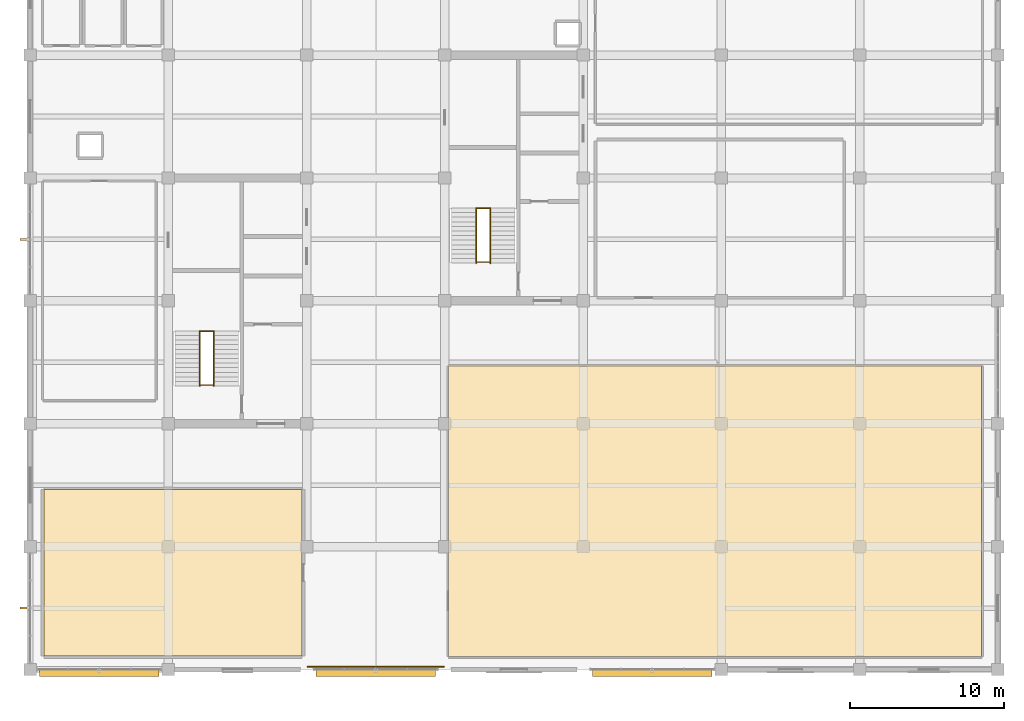
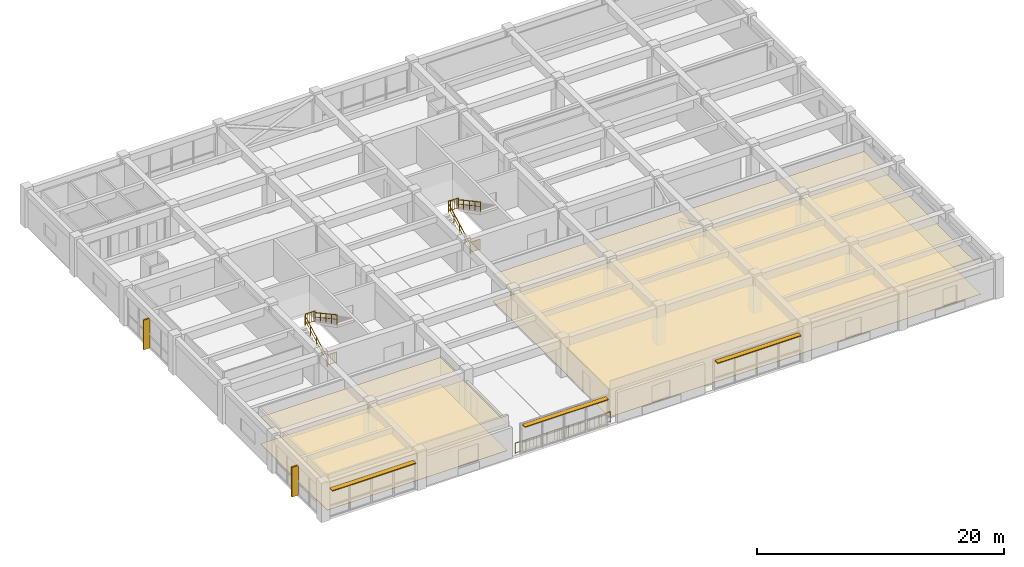
# One storey, part 16 of 16: 9 railings, 5 shading devices, 4 coverings.
"""IFC4 building model written with IfcOpenShell, lengths in metres."""

from ifc_helpers import new_model, si_unit, direction, frame, frame_2d, origin, origin_2d, place, context, subcontext, project, spatial, polyline, rectangle, circle, outline, extrude, material, layer, layer_set, type_object, element, save


model = new_model("IFC4")

# Units and contexts
model_context = context("Model", 3, precision=1e-05, world=origin(), true_north=direction((0.0, 1.0)))
body_context = subcontext(model_context, "Body", "Model", "MODEL_VIEW")
ifc_project = project(units=[si_unit("LENGTHUNIT", "METRE"), si_unit("AREAUNIT", "SQUARE_METRE"), si_unit("VOLUMEUNIT", "CUBIC_METRE"), si_unit("PLANEANGLEUNIT", "RADIAN"), si_unit("MASSUNIT", "GRAM", prefix="KILO")], contexts=[model_context])

# Site, building, storey
site_placement = place(None, origin())
site = spatial("IfcSite", under=ifc_project, at=site_placement, CompositionType="ELEMENT")
building_placement = place(site_placement, origin())
building = spatial("IfcBuilding", under=site, at=building_placement, Name="Zaverband Oceanarium and Marine Research Institute", CompositionType="ELEMENT")
storey_placement = place(building_placement, frame((0.0, 0.0, 37.5)))
storey = spatial("IfcBuildingStorey", under=building, at=storey_placement, Name="L09", CompositionType="ELEMENT", Elevation=37.5)

# Coverings
ifc_material_1 = material(Name="Perforated mineral-fibre acoustic ceiling tile")
ifc_layer_1 = layer(ifc_material_1, 0.02490234375, Name="Perforated mineral-fibre acoustic ceiling tile")
ifc_layer_set_1 = layer_set([ifc_layer_1], Name="Perforated mineral-fibre acoustic ceiling tile")
covering_type_1 = type_object("IfcCoveringType", Name="CLG-AC-15", PredefinedType="CEILING", material=ifc_layer_set_1)
covering_1_placement = place(storey_placement, frame((0.0, 0.0, 2.659912109375)))
element("IfcCovering", 1, at=covering_1_placement, inside=storey, type_object=covering_type_1, Name="Suspended acoustic ceiling CLG-AC-15", PredefinedType="CEILING", context=body_context, shape_type="SweptSolid", body=[
    extrude(outline(polyline([(9.889892578125, 64.889892578125), (26.7099609375, 64.889892578125), (26.7099609375, 75.7099609375), (9.889892578125, 75.7099609375), (9.889892578125, 64.889892578125)])), origin(), (0.0, 0.0, 1.0), 0.025146484375),
])
covering_2_placement = place(storey_placement, frame((0.0, 0.0, 2.659912109375)))
element("IfcCovering", 2, at=covering_2_placement, inside=storey, type_object=covering_type_1, Name="Suspended acoustic ceiling CLG-AC-15", PredefinedType="CEILING", context=body_context, shape_type="SweptSolid", body=[
    extrude(outline(polyline([(36.25, 64.85009765625), (70.949951171875, 64.85009765625), (70.949951171875, 83.75), (36.25, 83.75), (36.25, 64.85009765625)])), origin(), (0.0, 0.0, 1.0), 0.025146484375),
])
ifc_material_2 = material(Name="Polished marine terrazzo and seamless laboratory epoxy flooring")
ifc_layer_2 = layer(ifc_material_2, 0.02490234375, Name="Polished marine terrazzo and seamless laboratory epoxy flooring")
ifc_layer_set_2 = layer_set([ifc_layer_2], Name="Polished marine terrazzo and seamless laboratory epoxy flooring")
covering_type_2 = type_object("IfcCoveringType", Name="FLR-TRZ-20", PredefinedType="FLOORING", material=ifc_layer_set_2)
covering_3_placement = place(storey_placement, origin())
element("IfcCovering", 3, at=covering_3_placement, inside=storey, type_object=covering_type_2, Name="Terrazzo and marine epoxy floor finish FLR-TRZ-20", PredefinedType="FLOORING", context=body_context, shape_type="SweptSolid", body=[
    extrude(outline(polyline([(9.889892578125, 64.889892578125), (26.7099609375, 64.889892578125), (26.7099609375, 75.7099609375), (9.889892578125, 75.7099609375), (9.889892578125, 64.889892578125)])), origin(), (0.0, 0.0, 1.0), 0.02490234375),
])
covering_4_placement = place(storey_placement, origin())
element("IfcCovering", 4, at=covering_4_placement, inside=storey, type_object=covering_type_2, Name="Terrazzo and marine epoxy floor finish FLR-TRZ-20", PredefinedType="FLOORING", context=body_context, shape_type="SweptSolid", body=[
    extrude(outline(polyline([(36.25, 64.85009765625), (70.949951171875, 64.85009765625), (70.949951171875, 83.75), (36.25, 83.75), (36.25, 64.85009765625)])), origin(), (0.0, 0.0, 1.0), 0.02490234375),
])

# Railings
ifc_material_3 = material(Name="Steel S355", Category="steel")
ifc_layer_3 = layer(ifc_material_3, 0.06005859375, Name="Steel S355")
ifc_layer_set_3 = layer_set([ifc_layer_3], Name="Steel S355")
railing_type_1 = type_object("IfcRailingType", Name="GRD-1100", PredefinedType="BALUSTRADE", material=ifc_layer_set_3)
for number, where, name in (
    (5, (20.0400390625, 86.030029296875, 1.949951171875), "1100 mm steel post-and-baluster safety guard GRD-1100"),
    (6, (20.0400390625, 82.530029296875, 0.0), "1100 mm steel post-and-baluster safety guard GRD-1100"),
    (7, (38.0400390625, 94.030029296875, 1.949951171875), "1100 mm steel post-and-baluster safety guard GRD-1100"),
    (8, (38.0400390625, 90.530029296875, 0.0), "1100 mm steel post-and-baluster safety guard GRD-1100"),
):
    element("IfcRailing", number, at=place(storey_placement, frame(where)), inside=storey, type_object=railing_type_1, Name=name, PredefinedType="BALUSTRADE", context=body_context, shape_type="SweptSolid", body=[
        extrude(circle(Radius=0.02392578125, at=origin_2d()), frame((0.0, 0.0, 1.076171875), z_axis=(1.0, 0.0, 0.0), x_axis=(0.0, 1.0, 0.0)), (0.0, 0.0, 1.0), 0.919921875),
        extrude(circle(Radius=0.009033203125, at=origin_2d()), frame((0.0, 0.0, 0.10009765625), z_axis=(1.0, 0.0, 0.0), x_axis=(0.0, 1.0, 0.0)), (0.0, 0.0, 1.0), 0.919921875),
        extrude(circle(Radius=0.009033203125, at=origin_2d()), frame((0.18408203125, 0.0, 0.10009765625)), (0.0, 0.0, 1.0), 0.951904296875),
        extrude(circle(Radius=0.009033203125, at=origin_2d()), frame((0.367919921875, 0.0, 0.10009765625)), (0.0, 0.0, 1.0), 0.951904296875),
        extrude(circle(Radius=0.009033203125, at=origin_2d()), frame((0.552001953125, 0.0, 0.10009765625)), (0.0, 0.0, 1.0), 0.951904296875),
        extrude(circle(Radius=0.009033203125, at=origin_2d()), frame((0.73583984375, 0.0, 0.10009765625)), (0.0, 0.0, 1.0), 0.951904296875),
        extrude(circle(Radius=0.02099609375, at=origin_2d()), origin(), (0.0, 0.0, 1.0), 1.052001953125),
        extrude(circle(Radius=0.02099609375, at=origin_2d()), frame((0.919921875, 0.0, 0.0)), (0.0, 0.0, 1.0), 1.052001953125),
    ])
railing_1_placement = place(storey_placement, frame((27.050048828125, 64.179931640625, 0.0)))
element("IfcRailing", 9, at=railing_1_placement, inside=storey, type_object=railing_type_1, Name="1100 mm steel post-and-baluster safety guard GRD-1100", PredefinedType="BALUSTRADE", context=body_context, shape_type="SweptSolid", body=[
    extrude(circle(Radius=0.02392578125, at=origin_2d()), frame((0.0, 0.0, 1.076171875), z_axis=(1.0, 0.0, 0.0), x_axis=(0.0, 1.0, 0.0)), (0.0, 0.0, 1.0), 8.89990234375),
    extrude(circle(Radius=0.009033203125, at=origin_2d()), frame((0.0, 0.0, 0.10009765625), z_axis=(1.0, 0.0, 0.0), x_axis=(0.0, 1.0, 0.0)), (0.0, 0.0, 1.0), 8.89990234375),
    extrude(circle(Radius=0.009033203125, at=origin_2d()), frame((0.217041015625, 0.0, 0.10009765625)), (0.0, 0.0, 1.0), 0.951904296875),
    extrude(circle(Radius=0.009033203125, at=origin_2d()), frame((0.43408203125, 0.0, 0.10009765625)), (0.0, 0.0, 1.0), 0.951904296875),
    extrude(circle(Radius=0.009033203125, at=origin_2d()), frame((0.651123046875, 0.0, 0.10009765625)), (0.0, 0.0, 1.0), 0.951904296875),
    extrude(circle(Radius=0.009033203125, at=origin_2d()), frame((0.8681640625, 0.0, 0.10009765625)), (0.0, 0.0, 1.0), 0.951904296875),
    extrude(circle(Radius=0.009033203125, at=origin_2d()), frame((1.08544921875, 0.0, 0.10009765625)), (0.0, 0.0, 1.0), 0.951904296875),
    extrude(circle(Radius=0.009033203125, at=origin_2d()), frame((1.302490234375, 0.0, 0.10009765625)), (0.0, 0.0, 1.0), 0.951904296875),
    extrude(circle(Radius=0.009033203125, at=origin_2d()), frame((1.51953125, 0.0, 0.10009765625)), (0.0, 0.0, 1.0), 0.951904296875),
    extrude(circle(Radius=0.009033203125, at=origin_2d()), frame((1.736572265625, 0.0, 0.10009765625)), (0.0, 0.0, 1.0), 0.951904296875),
    extrude(circle(Radius=0.009033203125, at=origin_2d()), frame((1.95361328125, 0.0, 0.10009765625)), (0.0, 0.0, 1.0), 0.951904296875),
    extrude(circle(Radius=0.009033203125, at=origin_2d()), frame((2.170654296875, 0.0, 0.10009765625)), (0.0, 0.0, 1.0), 0.951904296875),
    extrude(circle(Radius=0.009033203125, at=origin_2d()), frame((2.3876953125, 0.0, 0.10009765625)), (0.0, 0.0, 1.0), 0.951904296875),
    extrude(circle(Radius=0.009033203125, at=origin_2d()), frame((2.604736328125, 0.0, 0.10009765625)), (0.0, 0.0, 1.0), 0.951904296875),
    extrude(circle(Radius=0.009033203125, at=origin_2d()), frame((2.822021484375, 0.0, 0.10009765625)), (0.0, 0.0, 1.0), 0.951904296875),
    extrude(circle(Radius=0.009033203125, at=origin_2d()), frame((3.0390625, 0.0, 0.10009765625)), (0.0, 0.0, 1.0), 0.951904296875),
    extrude(circle(Radius=0.009033203125, at=origin_2d()), frame((3.256103515625, 0.0, 0.10009765625)), (0.0, 0.0, 1.0), 0.951904296875),
    extrude(circle(Radius=0.009033203125, at=origin_2d()), frame((3.47314453125, 0.0, 0.10009765625)), (0.0, 0.0, 1.0), 0.951904296875),
    extrude(circle(Radius=0.009033203125, at=origin_2d()), frame((3.690185546875, 0.0, 0.10009765625)), (0.0, 0.0, 1.0), 0.951904296875),
    extrude(circle(Radius=0.009033203125, at=origin_2d()), frame((3.9072265625, 0.0, 0.10009765625)), (0.0, 0.0, 1.0), 0.951904296875),
    extrude(circle(Radius=0.009033203125, at=origin_2d()), frame((4.124267578125, 0.0, 0.10009765625)), (0.0, 0.0, 1.0), 0.951904296875),
    extrude(circle(Radius=0.009033203125, at=origin_2d()), frame((4.34130859375, 0.0, 0.10009765625)), (0.0, 0.0, 1.0), 0.951904296875),
    extrude(circle(Radius=0.009033203125, at=origin_2d()), frame((4.55859375, 0.0, 0.10009765625)), (0.0, 0.0, 1.0), 0.951904296875),
    extrude(circle(Radius=0.009033203125, at=origin_2d()), frame((4.775634765625, 0.0, 0.10009765625)), (0.0, 0.0, 1.0), 0.951904296875),
    extrude(circle(Radius=0.009033203125, at=origin_2d()), frame((4.99267578125, 0.0, 0.10009765625)), (0.0, 0.0, 1.0), 0.951904296875),
    extrude(circle(Radius=0.009033203125, at=origin_2d()), frame((5.209716796875, 0.0, 0.10009765625)), (0.0, 0.0, 1.0), 0.951904296875),
    extrude(circle(Radius=0.009033203125, at=origin_2d()), frame((5.4267578125, 0.0, 0.10009765625)), (0.0, 0.0, 1.0), 0.951904296875),
    extrude(circle(Radius=0.009033203125, at=origin_2d()), frame((5.643798828125, 0.0, 0.10009765625)), (0.0, 0.0, 1.0), 0.951904296875),
    extrude(circle(Radius=0.009033203125, at=origin_2d()), frame((5.86083984375, 0.0, 0.10009765625)), (0.0, 0.0, 1.0), 0.951904296875),
    extrude(circle(Radius=0.009033203125, at=origin_2d()), frame((6.077880859375, 0.0, 0.10009765625)), (0.0, 0.0, 1.0), 0.951904296875),
    extrude(circle(Radius=0.009033203125, at=origin_2d()), frame((6.295166015625, 0.0, 0.10009765625)), (0.0, 0.0, 1.0), 0.951904296875),
    extrude(circle(Radius=0.009033203125, at=origin_2d()), frame((6.51220703125, 0.0, 0.10009765625)), (0.0, 0.0, 1.0), 0.951904296875),
    extrude(circle(Radius=0.009033203125, at=origin_2d()), frame((6.729248046875, 0.0, 0.10009765625)), (0.0, 0.0, 1.0), 0.951904296875),
    extrude(circle(Radius=0.009033203125, at=origin_2d()), frame((6.9462890625, 0.0, 0.10009765625)), (0.0, 0.0, 1.0), 0.951904296875),
    extrude(circle(Radius=0.009033203125, at=origin_2d()), frame((7.163330078125, 0.0, 0.10009765625)), (0.0, 0.0, 1.0), 0.951904296875),
    extrude(circle(Radius=0.009033203125, at=origin_2d()), frame((7.38037109375, 0.0, 0.10009765625)), (0.0, 0.0, 1.0), 0.951904296875),
    extrude(circle(Radius=0.009033203125, at=origin_2d()), frame((7.597412109375, 0.0, 0.10009765625)), (0.0, 0.0, 1.0), 0.951904296875),
    extrude(circle(Radius=0.009033203125, at=origin_2d()), frame((7.814453125, 0.0, 0.10009765625)), (0.0, 0.0, 1.0), 0.951904296875),
    extrude(circle(Radius=0.009033203125, at=origin_2d()), frame((8.03173828125, 0.0, 0.10009765625)), (0.0, 0.0, 1.0), 0.951904296875),
    extrude(circle(Radius=0.009033203125, at=origin_2d()), frame((8.248779296875, 0.0, 0.10009765625)), (0.0, 0.0, 1.0), 0.951904296875),
    extrude(circle(Radius=0.009033203125, at=origin_2d()), frame((8.4658203125, 0.0, 0.10009765625)), (0.0, 0.0, 1.0), 0.951904296875),
    extrude(circle(Radius=0.009033203125, at=origin_2d()), frame((8.682861328125, 0.0, 0.10009765625)), (0.0, 0.0, 1.0), 0.951904296875),
    extrude(circle(Radius=0.02099609375, at=origin_2d()), origin(), (0.0, 0.0, 1.0), 1.052001953125),
    extrude(circle(Radius=0.02099609375, at=origin_2d()), frame((0.98876953125, 0.0, 0.0)), (0.0, 0.0, 1.0), 1.052001953125),
    extrude(circle(Radius=0.02099609375, at=origin_2d()), frame((1.977783203125, 0.0, 0.0)), (0.0, 0.0, 1.0), 1.052001953125),
    extrude(circle(Radius=0.02099609375, at=origin_2d()), frame((2.966552734375, 0.0, 0.0)), (0.0, 0.0, 1.0), 1.052001953125),
    extrude(circle(Radius=0.02099609375, at=origin_2d()), frame((3.95556640625, 0.0, 0.0)), (0.0, 0.0, 1.0), 1.052001953125),
    extrude(circle(Radius=0.02099609375, at=origin_2d()), frame((4.9443359375, 0.0, 0.0)), (0.0, 0.0, 1.0), 1.052001953125),
    extrude(circle(Radius=0.02099609375, at=origin_2d()), frame((5.933349609375, 0.0, 0.0)), (0.0, 0.0, 1.0), 1.052001953125),
    extrude(circle(Radius=0.02099609375, at=origin_2d()), frame((6.922119140625, 0.0, 0.0)), (0.0, 0.0, 1.0), 1.052001953125),
    extrude(circle(Radius=0.02099609375, at=origin_2d()), frame((7.9111328125, 0.0, 0.0)), (0.0, 0.0, 1.0), 1.052001953125),
    extrude(circle(Radius=0.02099609375, at=origin_2d()), frame((8.89990234375, 0.0, 0.0)), (0.0, 0.0, 1.0), 1.052001953125),
])
ifc_layer_4 = layer(ifc_material_3, 0.050048828125, Name="Steel S355")
ifc_layer_set_4 = layer_set([ifc_layer_4], Name="Steel S355")
railing_type_2 = type_object("IfcRailingType", Name="HR-920", PredefinedType="HANDRAIL", material=ifc_layer_set_4)
railing_2_placement = place(storey_placement, frame((20.0400390625, 82.449951171875, 0.0)))
element("IfcRailing", 10, at=railing_2_placement, inside=storey, type_object=railing_type_2, Name="920 mm continuous tubular stair and ramp handrail HR-920", PredefinedType="HANDRAIL", context=body_context, shape_type="SweptSolid", body=[
    extrude(circle(Radius=0.02392578125, at=origin_2d()), frame((0.0, 0.0, 0.89599609375), z_axis=(0.0, 0.879302371543, 0.476263938798), x_axis=(-1.0, 0.0, 0.0)), (0.0, 0.0, 1.0), 4.09423828125),
    extrude(circle(Radius=0.009033203125, at=origin_2d()), frame((0.0, 0.0, 0.4599609375), z_axis=(0.0, 0.879302371543, 0.476263938798), x_axis=(-1.0, 0.0, 0.0)), (0.0, 0.0, 1.0), 4.09423828125),
    extrude(circle(Radius=0.02099609375, at=origin_2d()), origin(), (0.0, 0.0, 1.0), 0.871826171875),
    extrude(circle(Radius=0.02099609375, at=origin_2d()), frame((0.0, 0.89990234375, 0.487548828125)), (0.0, 0.0, 1.0), 0.871826171875),
    extrude(circle(Radius=0.02099609375, at=origin_2d()), frame((0.0, 1.800048828125, 0.97509765625)), (0.0, 0.0, 1.0), 0.871826171875),
    extrude(circle(Radius=0.02099609375, at=origin_2d()), frame((0.0, 2.7001953125, 1.46240234375)), (0.0, 0.0, 1.0), 0.871826171875),
    extrude(circle(Radius=0.02099609375, at=origin_2d()), frame((0.0, 3.60009765625, 1.949951171875)), (0.0, 0.0, 1.0), 0.871826171875),
])
railing_3_placement = place(storey_placement, frame((20.9599609375, 86.050048828125, 1.949951171875)))
element("IfcRailing", 11, at=railing_3_placement, inside=storey, type_object=railing_type_2, Name="920 mm continuous tubular stair and ramp handrail HR-920", PredefinedType="HANDRAIL", context=body_context, shape_type="SweptSolid", body=[
    extrude(circle(Radius=0.02392578125, at=origin_2d()), frame((0.0, 0.0, 0.89599609375), z_axis=(0.0, -0.879302371543, 0.476263938798), x_axis=(1.0, 0.0, 0.0)), (0.0, 0.0, 1.0), 4.09423828125),
    extrude(circle(Radius=0.009033203125, at=origin_2d()), frame((0.0, 0.0, 0.4599609375), z_axis=(0.0, -0.879302371543, 0.476263938798), x_axis=(1.0, 0.0, 0.0)), (0.0, 0.0, 1.0), 4.09423828125),
    extrude(circle(Radius=0.02099609375, at=origin_2d()), origin(), (0.0, 0.0, 1.0), 0.871826171875),
    extrude(circle(Radius=0.02099609375, at=origin_2d()), frame((0.0, -0.89990234375, 0.487548828125)), (0.0, 0.0, 1.0), 0.871826171875),
    extrude(circle(Radius=0.02099609375, at=origin_2d()), frame((0.0, -1.800048828125, 0.97509765625)), (0.0, 0.0, 1.0), 0.871826171875),
    extrude(circle(Radius=0.02099609375, at=origin_2d()), frame((0.0, -2.7001953125, 1.46240234375)), (0.0, 0.0, 1.0), 0.871826171875),
    extrude(circle(Radius=0.02099609375, at=origin_2d()), frame((0.0, -3.60009765625, 1.949951171875)), (0.0, 0.0, 1.0), 0.871826171875),
])
railing_4_placement = place(storey_placement, frame((38.0400390625, 90.449951171875, 0.0)))
element("IfcRailing", 12, at=railing_4_placement, inside=storey, type_object=railing_type_2, Name="920 mm continuous tubular stair and ramp handrail HR-920", PredefinedType="HANDRAIL", context=body_context, shape_type="SweptSolid", body=[
    extrude(circle(Radius=0.02392578125, at=origin_2d()), frame((0.0, 0.0, 0.89599609375), z_axis=(0.0, 0.879302371543, 0.476263938798), x_axis=(-1.0, 0.0, 0.0)), (0.0, 0.0, 1.0), 4.09423828125),
    extrude(circle(Radius=0.009033203125, at=origin_2d()), frame((0.0, 0.0, 0.4599609375), z_axis=(0.0, 0.879302371543, 0.476263938798), x_axis=(-1.0, 0.0, 0.0)), (0.0, 0.0, 1.0), 4.09423828125),
    extrude(circle(Radius=0.02099609375, at=origin_2d()), origin(), (0.0, 0.0, 1.0), 0.871826171875),
    extrude(circle(Radius=0.02099609375, at=origin_2d()), frame((0.0, 0.89990234375, 0.487548828125)), (0.0, 0.0, 1.0), 0.871826171875),
    extrude(circle(Radius=0.02099609375, at=origin_2d()), frame((0.0, 1.800048828125, 0.97509765625)), (0.0, 0.0, 1.0), 0.871826171875),
    extrude(circle(Radius=0.02099609375, at=origin_2d()), frame((0.0, 2.7001953125, 1.46240234375)), (0.0, 0.0, 1.0), 0.871826171875),
    extrude(circle(Radius=0.02099609375, at=origin_2d()), frame((0.0, 3.60009765625, 1.949951171875)), (0.0, 0.0, 1.0), 0.871826171875),
])
railing_5_placement = place(storey_placement, frame((38.9599609375, 94.050048828125, 1.949951171875)))
element("IfcRailing", 13, at=railing_5_placement, inside=storey, type_object=railing_type_2, Name="920 mm continuous tubular stair and ramp handrail HR-920", PredefinedType="HANDRAIL", context=body_context, shape_type="SweptSolid", body=[
    extrude(circle(Radius=0.02392578125, at=origin_2d()), frame((0.0, 0.0, 0.89599609375), z_axis=(0.0, -0.879302371543, 0.476263938798), x_axis=(1.0, 0.0, 0.0)), (0.0, 0.0, 1.0), 4.09423828125),
    extrude(circle(Radius=0.009033203125, at=origin_2d()), frame((0.0, 0.0, 0.4599609375), z_axis=(0.0, -0.879302371543, 0.476263938798), x_axis=(1.0, 0.0, 0.0)), (0.0, 0.0, 1.0), 4.09423828125),
    extrude(circle(Radius=0.02099609375, at=origin_2d()), origin(), (0.0, 0.0, 1.0), 0.871826171875),
    extrude(circle(Radius=0.02099609375, at=origin_2d()), frame((0.0, -0.89990234375, 0.487548828125)), (0.0, 0.0, 1.0), 0.871826171875),
    extrude(circle(Radius=0.02099609375, at=origin_2d()), frame((0.0, -1.800048828125, 0.97509765625)), (0.0, 0.0, 1.0), 0.871826171875),
    extrude(circle(Radius=0.02099609375, at=origin_2d()), frame((0.0, -2.7001953125, 1.46240234375)), (0.0, 0.0, 1.0), 0.871826171875),
    extrude(circle(Radius=0.02099609375, at=origin_2d()), frame((0.0, -3.60009765625, 1.949951171875)), (0.0, 0.0, 1.0), 0.871826171875),
])

# Shading devices
ifc_material_4 = material(Name="Concrete C40/50 precast brise-soleil", Category="concrete")
ifc_layer_5 = layer(ifc_material_4, 0.139892578125, Name="Concrete C40/50 precast brise-soleil")
ifc_layer_set_5 = layer_set([ifc_layer_5], Name="Concrete C40/50 precast brise-soleil")
shading_device_type_1 = type_object("IfcShadingDeviceType", Name="SHD-FIN-600", PredefinedType="JALOUSIE", material=ifc_layer_set_5)
for number, where, z_axis, x_axis, name in (
    (14, (8.93994140625, 68.0, 0.0), (0.0, 0.0, 1.0), (-1.0, 0.0, 0.0), "600 mm vertical precast brise-soleil fin SHD-FIN-600"),
    (15, (8.93994140625, 92.0, 0.0), (0.0, 0.0, 1.0), (-1.0, 0.0, 0.0), "600 mm vertical precast brise-soleil fin SHD-FIN-600"),
):
    element("IfcShadingDevice", number, at=place(storey_placement, frame(where, z_axis=z_axis, x_axis=x_axis)), inside=storey, type_object=shading_device_type_1, Name=name, PredefinedType="JALOUSIE", context=body_context, shape_type="SweptSolid", body=[
        extrude(rectangle(XDim=0.599853515625, YDim=0.139892578125, at=frame_2d((0.2998046875, 0.0))), origin(), (0.0, 0.0, 1.0), 2.929931640625),
    ])
ifc_material_5 = material(Name="Anodized bronze marine-grade aluminium", Category="aluminium")
ifc_layer_6 = layer(ifc_material_5, 0.080078125, Name="Anodized bronze marine-grade aluminium")
ifc_layer_set_6 = layer_set([ifc_layer_6], Name="Anodized bronze marine-grade aluminium")
shading_device_type_2 = type_object("IfcShadingDeviceType", Name="SHD-LVR-450", PredefinedType="USERDEFINED", material=ifc_layer_set_6)
for number, where, z_axis, x_axis, name in (
    (16, (9.60498046875, 63.760009765625, 2.800048828125), (0.0, 0.0, 1.0), (1.0, 0.0, 0.0), "450 mm horizontal solar shading louvre SHD-LVR-450"),
    (17, (27.60498046875, 63.760009765625, 2.800048828125), (0.0, 0.0, 1.0), (1.0, 0.0, 0.0), "450 mm horizontal solar shading louvre SHD-LVR-450"),
    (18, (45.60498046875, 63.760009765625, 2.800048828125), (0.0, 0.0, 1.0), (1.0, 0.0, 0.0), "450 mm horizontal solar shading louvre SHD-LVR-450"),
):
    element("IfcShadingDevice", number, at=place(storey_placement, frame(where, z_axis=z_axis, x_axis=x_axis)), inside=storey, type_object=shading_device_type_2, Name=name, ObjectType="LOUVRE", PredefinedType="USERDEFINED", context=body_context, shape_type="SweptSolid", body=[
        extrude(rectangle(XDim=7.7900390625, YDim=0.449951171875, at=frame_2d((3.89501953125, 0.0))), origin(), (0.0, 0.0, 1.0), 0.079833984375),
    ])

save(model, "model.ifc")
